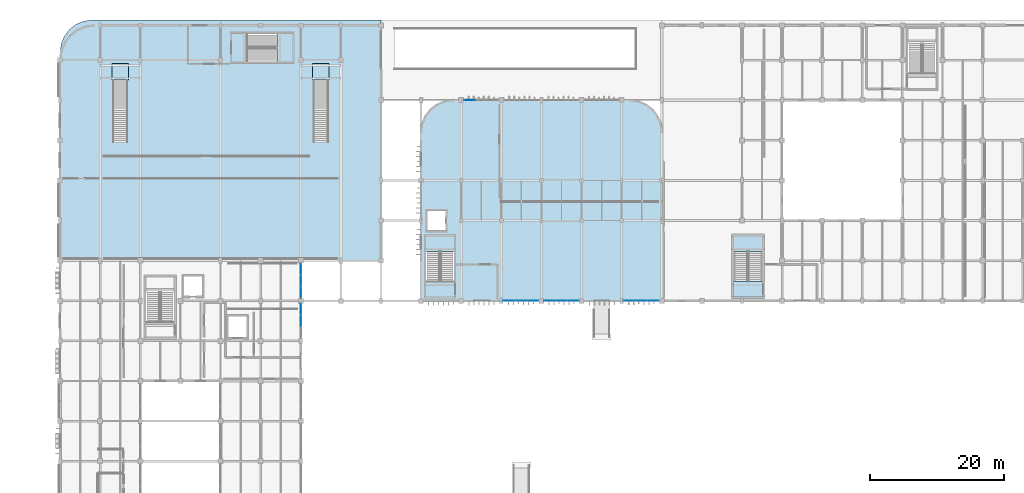
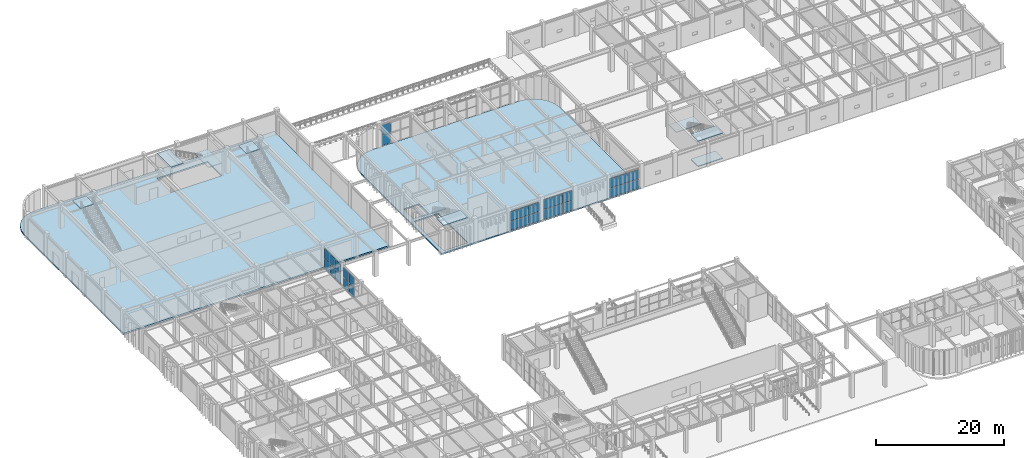
# One storey, part 37 of 76: 30 plates, 11 slabs, 11 elements without a shape of their own.
"""IFC4 building model written with IfcOpenShell, lengths in metres."""

from ifc_helpers import new_model, si_unit, direction, frame, origin, origin_2d, place, context, subcontext, project, spatial, polyline, rectangle, outline, extrude, material, layer, layer_set, type_object, element, aggregate, save


model = new_model("IFC4")

# Units and contexts
model_context = context("Model", 3, precision=1e-05, world=origin(), true_north=direction((0.0, 1.0)))
body_context = subcontext(model_context, "Body", "Model", "MODEL_VIEW")
ifc_project = project(units=[si_unit("LENGTHUNIT", "METRE"), si_unit("AREAUNIT", "SQUARE_METRE"), si_unit("VOLUMEUNIT", "CUBIC_METRE"), si_unit("PLANEANGLEUNIT", "RADIAN"), si_unit("MASSUNIT", "GRAM", prefix="KILO")], contexts=[model_context])

# Site, building, storey
site_placement = place(None, origin())
site = spatial("IfcSite", under=ifc_project, at=site_placement, CompositionType="ELEMENT")
building_placement = place(site_placement, origin())
building = spatial("IfcBuilding", under=site, at=building_placement, Name="Varnakota Square Police Headquarters", CompositionType="ELEMENT")
storey_placement = place(building_placement, origin())
storey = spatial("IfcBuildingStorey", under=building, at=storey_placement, Name="L00", CompositionType="ELEMENT", Elevation=0.0)

# Curtain wall, plate
ifc_material_1 = material(Name="Anodised Aluminium Framing", Category="aluminium")
curtain_wall_type_1 = type_object("IfcCurtainWallType", Name="CW-SYS-C", PredefinedType="NOTDEFINED", material=ifc_material_1)
curtain_wall_1_placement = place(storey_placement, origin())
curtain_wall_1 = element("IfcCurtainWall", 1, at=curtain_wall_1_placement, inside=storey, type_object=curtain_wall_type_1, Name="Unitised curtain wall CWG-L00-223", PredefinedType="NOTDEFINED")
ifc_material_2 = material(Name="Solar-Control Laminated Double Glazing", Category="glass")
ifc_layer_1 = layer(ifc_material_2, 0.028076171875, Name="Solar-Control Laminated Double Glazing")
ifc_layer_set_1 = layer_set([ifc_layer_1], Name="Solar-Control Laminated Double Glazing")
plate_type_1 = type_object("IfcPlateType", Name="CWP-GLZ-28", PredefinedType="CURTAIN_PANEL", material=ifc_layer_set_1)
plate_1_placement = place(storey_placement, frame((67.27197265625, 99.0, 0.074951171875), z_axis=(0.0, 0.0, 1.0), x_axis=(1.0, 0.0, 0.0)))
plate_1 = element("IfcPlate", 2, at=plate_1_placement, type_object=plate_type_1, Name="CWG-L00-223 panel 1.1", PredefinedType="CURTAIN_PANEL", context=body_context, shape_type="SweptSolid", body=[
    extrude(rectangle(XDim=1.63427734375, YDim=0.028076171875, at=origin_2d()), origin(), (0.0, 0.0, 1.0), 1.95751953125),
])

# Curtain wall, plates
curtain_wall_type_2 = type_object("IfcCurtainWallType", Name="CW-SYS-D", PredefinedType="NOTDEFINED", material=ifc_material_1)
curtain_wall_2_placement = place(storey_placement, origin())
curtain_wall_2 = element("IfcCurtainWall", 3, at=curtain_wall_2_placement, inside=storey, type_object=curtain_wall_type_2, Name="Unitised curtain wall CWG-L00-132", PredefinedType="NOTDEFINED")
ifc_material_3 = material(Name="Acoustic Laminated Double Glazing", Category="glass")
ifc_layer_2 = layer(ifc_material_3, 0.031982421875, Name="Acoustic Laminated Double Glazing")
ifc_layer_set_2 = layer_set([ifc_layer_2], Name="Acoustic Laminated Double Glazing")
plate_type_2 = type_object("IfcPlateType", Name="CWP-GLZ-32", PredefinedType="CURTAIN_PANEL", material=ifc_layer_set_2)
plate_2_placement = place(storey_placement, frame((42.0, 66.02490234375, 0.0751953125), z_axis=(0.0, 0.0, 1.0), x_axis=(0.0, 1.0, 0.0)))
plate_2 = element("IfcPlate", 4, at=plate_2_placement, type_object=plate_type_2, Name="CWG-L00-132 panel 2.1", PredefinedType="CURTAIN_PANEL", context=body_context, shape_type="SweptSolid", body=[
    extrude(rectangle(XDim=1.655029296875, YDim=0.031982421875, at=origin_2d()), origin(), (0.0, 0.0, 1.0), 1.907470703125),
])
plate_3_placement = place(storey_placement, frame((42.0, 67.736328125, 0.0751953125), z_axis=(0.0, 0.0, 1.0), x_axis=(0.0, 1.0, 0.0)))
plate_3 = element("IfcPlate", 5, at=plate_3_placement, type_object=plate_type_2, Name="CWG-L00-132 panel 3.1", PredefinedType="CURTAIN_PANEL", context=body_context, shape_type="SweptSolid", body=[
    extrude(rectangle(XDim=1.617431640625, YDim=0.031982421875, at=origin_2d()), origin(), (0.0, 0.0, 1.0), 1.907470703125),
])

curtain_wall_type_3 = type_object("IfcCurtainWallType", Name="CW-SYS-B", PredefinedType="NOTDEFINED", material=ifc_material_1)
curtain_wall_3_placement = place(storey_placement, origin())
curtain_wall_3 = element("IfcCurtainWall", 6, at=curtain_wall_3_placement, inside=storey, type_object=curtain_wall_type_3, Name="Unitised curtain wall CWG-L00-220", PredefinedType="NOTDEFINED")
plate_4_placement = place(storey_placement, frame((73.16552734375, 69.0, 0.06494140625), z_axis=(0.0, 0.0, 1.0), x_axis=(1.0, 0.0, 0.0)))
plate_4 = element("IfcPlate", 7, at=plate_4_placement, type_object=plate_type_2, Name="CWG-L00-220 panel 1.1", PredefinedType="CURTAIN_PANEL", context=body_context, shape_type="SweptSolid", body=[
    extrude(rectangle(XDim=1.69091796875, YDim=0.031982421875, at=origin_2d()), origin(), (0.0, 0.0, 1.0), 1.74755859375),
])
plate_5_placement = place(storey_placement, frame((74.9375, 69.0, 0.06494140625), z_axis=(0.0, 0.0, 1.0), x_axis=(1.0, 0.0, 0.0)))
plate_5 = element("IfcPlate", 8, at=plate_5_placement, type_object=plate_type_2, Name="CWG-L00-220 panel 2.1", PredefinedType="CURTAIN_PANEL", context=body_context, shape_type="SweptSolid", body=[
    extrude(rectangle(XDim=1.723388671875, YDim=0.031982421875, at=origin_2d()), origin(), (0.0, 0.0, 1.0), 1.74755859375),
])
plate_6_placement = place(storey_placement, frame((76.70947265625, 69.0, 0.06494140625), z_axis=(0.0, 0.0, 1.0), x_axis=(1.0, 0.0, 0.0)))
plate_6 = element("IfcPlate", 9, at=plate_6_placement, type_object=plate_type_2, Name="CWG-L00-220 panel 3.1", PredefinedType="CURTAIN_PANEL", context=body_context, shape_type="SweptSolid", body=[
    extrude(rectangle(XDim=1.69091796875, YDim=0.031982421875, at=origin_2d()), origin(), (0.0, 0.0, 1.0), 1.74755859375),
])

curtain_wall_4_placement = place(storey_placement, origin())
curtain_wall_4 = element("IfcCurtainWall", 10, at=curtain_wall_4_placement, inside=storey, type_object=curtain_wall_type_2, Name="Unitised curtain wall CWG-L00-133", PredefinedType="NOTDEFINED")
ifc_material_4 = material(Name="Blast-Resistant Laminated Glazing", Category="glass")
ifc_layer_3 = layer(ifc_material_4, 0.035888671875, Name="Blast-Resistant Laminated Glazing")
ifc_layer_set_3 = layer_set([ifc_layer_3], Name="Blast-Resistant Laminated Glazing")
plate_type_3 = type_object("IfcPlateType", Name="CWP-GLZ-36", PredefinedType="CURTAIN_PANEL", material=ifc_layer_set_3)
plate_7_placement = place(storey_placement, frame((42.0, 70.27197265625, 0.074951171875), z_axis=(0.0, 0.0, 1.0), x_axis=(0.0, 1.0, 0.0)))
plate_7 = element("IfcPlate", 11, at=plate_7_placement, type_object=plate_type_3, Name="CWG-L00-133 panel 1.1", PredefinedType="CURTAIN_PANEL", context=body_context, shape_type="SweptSolid", body=[
    extrude(rectangle(XDim=1.63427734375, YDim=0.035888671875, at=origin_2d()), origin(), (0.0, 0.0, 1.0), 1.9326171875),
])
plate_8_placement = place(storey_placement, frame((42.0, 72.0, 0.074951171875), z_axis=(0.0, 0.0, 1.0), x_axis=(0.0, 1.0, 0.0)))
plate_8 = element("IfcPlate", 12, at=plate_8_placement, type_object=plate_type_3, Name="CWG-L00-133 panel 2.1", PredefinedType="CURTAIN_PANEL", context=body_context, shape_type="SweptSolid", body=[
    extrude(rectangle(XDim=1.671630859375, YDim=0.035888671875, at=origin_2d()), origin(), (0.0, 0.0, 1.0), 1.9326171875),
])
plate_9_placement = place(storey_placement, frame((42.0, 73.72802734375, 0.074951171875), z_axis=(0.0, 0.0, 1.0), x_axis=(0.0, 1.0, 0.0)))
plate_9 = element("IfcPlate", 13, at=plate_9_placement, type_object=plate_type_3, Name="CWG-L00-133 panel 3.1", PredefinedType="CURTAIN_PANEL", context=body_context, shape_type="SweptSolid", body=[
    extrude(rectangle(XDim=1.63427734375, YDim=0.035888671875, at=origin_2d()), origin(), (0.0, 0.0, 1.0), 1.9326171875),
])

curtain_wall_5_placement = place(storey_placement, origin())
curtain_wall_5 = element("IfcCurtainWall", 14, at=curtain_wall_5_placement, inside=storey, type_object=curtain_wall_type_3, Name="Unitised curtain wall CWG-L00-221", PredefinedType="NOTDEFINED")
plate_10_placement = place(storey_placement, frame((79.26953125, 69.0, 0.06494140625), z_axis=(0.0, 0.0, 1.0), x_axis=(1.0, 0.0, 0.0)))
plate_10 = element("IfcPlate", 15, at=plate_10_placement, type_object=plate_type_3, Name="CWG-L00-221 panel 1.1", PredefinedType="CURTAIN_PANEL", context=body_context, shape_type="SweptSolid", body=[
    extrude(rectangle(XDim=1.649169921875, YDim=0.035888671875, at=origin_2d()), origin(), (0.0, 0.0, 1.0), 1.847412109375),
])
plate_11_placement = place(storey_placement, frame((81.0, 69.0, 0.06494140625), z_axis=(0.0, 0.0, 1.0), x_axis=(1.0, 0.0, 0.0)))
plate_11 = element("IfcPlate", 16, at=plate_11_placement, type_object=plate_type_3, Name="CWG-L00-221 panel 2.1", PredefinedType="CURTAIN_PANEL", context=body_context, shape_type="SweptSolid", body=[
    extrude(rectangle(XDim=1.681640625, YDim=0.035888671875, at=origin_2d()), origin(), (0.0, 0.0, 1.0), 1.847412109375),
])
plate_12_placement = place(storey_placement, frame((82.73046875, 69.0, 0.06494140625), z_axis=(0.0, 0.0, 1.0), x_axis=(1.0, 0.0, 0.0)))
plate_12 = element("IfcPlate", 17, at=plate_12_placement, type_object=plate_type_3, Name="CWG-L00-221 panel 3.1", PredefinedType="CURTAIN_PANEL", context=body_context, shape_type="SweptSolid", body=[
    extrude(rectangle(XDim=1.649169921875, YDim=0.035888671875, at=origin_2d()), origin(), (0.0, 0.0, 1.0), 1.847412109375),
])

curtain_wall_6_placement = place(storey_placement, origin())
curtain_wall_6 = element("IfcCurtainWall", 18, at=curtain_wall_6_placement, inside=storey, type_object=curtain_wall_type_3, Name="Unitised curtain wall CWG-L00-222", PredefinedType="NOTDEFINED")
ifc_material_5 = material(Name="Triple-Glazed Clean-Lab Vision Unit", Category="aluminium")
ifc_layer_4 = layer(ifc_material_5, 0.0419921875, Name="Triple-Glazed Clean-Lab Vision Unit")
ifc_layer_set_4 = layer_set([ifc_layer_4], Name="Triple-Glazed Clean-Lab Vision Unit")
plate_type_4 = type_object("IfcPlateType", Name="CWP-GLZ-42", PredefinedType="CURTAIN_PANEL", material=ifc_layer_set_4)
plate_13_placement = place(storey_placement, frame((91.16552734375, 69.0, 0.06494140625), z_axis=(0.0, 0.0, 1.0), x_axis=(1.0, 0.0, 0.0)))
plate_13 = element("IfcPlate", 19, at=plate_13_placement, type_object=plate_type_4, Name="CWG-L00-222 panel 1.1", PredefinedType="CURTAIN_PANEL", context=body_context, shape_type="SweptSolid", body=[
    extrude(rectangle(XDim=1.69091796875, YDim=0.0419921875, at=origin_2d()), origin(), (0.0, 0.0, 1.0), 1.74755859375),
])
plate_14_placement = place(storey_placement, frame((92.9375, 69.0, 0.06494140625), z_axis=(0.0, 0.0, 1.0), x_axis=(1.0, 0.0, 0.0)))
plate_14 = element("IfcPlate", 20, at=plate_14_placement, type_object=plate_type_4, Name="CWG-L00-222 panel 2.1", PredefinedType="CURTAIN_PANEL", context=body_context, shape_type="SweptSolid", body=[
    extrude(rectangle(XDim=1.723388671875, YDim=0.0419921875, at=origin_2d()), origin(), (0.0, 0.0, 1.0), 1.74755859375),
])
plate_15_placement = place(storey_placement, frame((94.70947265625, 69.0, 0.06494140625), z_axis=(0.0, 0.0, 1.0), x_axis=(1.0, 0.0, 0.0)))
plate_15 = element("IfcPlate", 21, at=plate_15_placement, type_object=plate_type_4, Name="CWG-L00-222 panel 3.1", PredefinedType="CURTAIN_PANEL", context=body_context, shape_type="SweptSolid", body=[
    extrude(rectangle(XDim=1.69091796875, YDim=0.0419921875, at=origin_2d()), origin(), (0.0, 0.0, 1.0), 1.74755859375),
])

# Plate
ifc_material_6 = material(Name="Insulated Anodised Aluminium Spandrel Panel", Category="aluminium")
ifc_layer_5 = layer(ifc_material_6, 0.050048828125, Name="Insulated Anodised Aluminium Spandrel Panel")
ifc_layer_set_5 = layer_set([ifc_layer_5], Name="Insulated Anodised Aluminium Spandrel Panel")
plate_type_5 = type_object("IfcPlateType", Name="CWP-SPN-50", PredefinedType="CURTAIN_PANEL", material=ifc_layer_set_5)
plate_16_placement = place(storey_placement, frame((42.0, 70.27197265625, 2.08251953125), z_axis=(0.0, 0.0, 1.0), x_axis=(0.0, 1.0, 0.0)))
plate_16 = element("IfcPlate", 22, at=plate_16_placement, type_object=plate_type_5, Name="CWG-L00-133 panel 1.2", PredefinedType="CURTAIN_PANEL", context=body_context, shape_type="SweptSolid", body=[
    extrude(rectangle(XDim=1.63427734375, YDim=0.050048828125, at=origin_2d()), origin(), (0.0, 0.0, 1.0), 1.9326171875),
])

plate_17_placement = place(storey_placement, frame((42.0, 72.0, 2.08251953125), z_axis=(0.0, 0.0, 1.0), x_axis=(0.0, 1.0, 0.0)))
plate_17 = element("IfcPlate", 23, at=plate_17_placement, type_object=plate_type_5, Name="CWG-L00-133 panel 2.2", PredefinedType="CURTAIN_PANEL", context=body_context, shape_type="SweptSolid", body=[
    extrude(rectangle(XDim=1.671630859375, YDim=0.050048828125, at=origin_2d()), origin(), (0.0, 0.0, 1.0), 1.9326171875),
])

plate_18_placement = place(storey_placement, frame((42.0, 73.72802734375, 2.08251953125), z_axis=(0.0, 0.0, 1.0), x_axis=(0.0, 1.0, 0.0)))
plate_18 = element("IfcPlate", 24, at=plate_18_placement, type_object=plate_type_5, Name="CWG-L00-133 panel 3.2", PredefinedType="CURTAIN_PANEL", context=body_context, shape_type="SweptSolid", body=[
    extrude(rectangle(XDim=1.63427734375, YDim=0.050048828125, at=origin_2d()), origin(), (0.0, 0.0, 1.0), 1.9326171875),
])

aggregate(curtain_wall_4, [plate_7, plate_16, plate_8, plate_17, plate_9, plate_18])

plate_19_placement = place(storey_placement, frame((79.26953125, 69.0, 1.9775390625), z_axis=(0.0, 0.0, 1.0), x_axis=(1.0, 0.0, 0.0)))
plate_19 = element("IfcPlate", 25, at=plate_19_placement, type_object=plate_type_5, Name="CWG-L00-221 panel 1.2", PredefinedType="CURTAIN_PANEL", context=body_context, shape_type="SweptSolid", body=[
    extrude(rectangle(XDim=1.649169921875, YDim=0.050048828125, at=origin_2d()), origin(), (0.0, 0.0, 1.0), 1.847412109375),
])

plate_20_placement = place(storey_placement, frame((81.0, 69.0, 1.9775390625), z_axis=(0.0, 0.0, 1.0), x_axis=(1.0, 0.0, 0.0)))
plate_20 = element("IfcPlate", 26, at=plate_20_placement, type_object=plate_type_5, Name="CWG-L00-221 panel 2.2", PredefinedType="CURTAIN_PANEL", context=body_context, shape_type="SweptSolid", body=[
    extrude(rectangle(XDim=1.681640625, YDim=0.050048828125, at=origin_2d()), origin(), (0.0, 0.0, 1.0), 1.847412109375),
])

plate_21_placement = place(storey_placement, frame((82.73046875, 69.0, 1.9775390625), z_axis=(0.0, 0.0, 1.0), x_axis=(1.0, 0.0, 0.0)))
plate_21 = element("IfcPlate", 27, at=plate_21_placement, type_object=plate_type_5, Name="CWG-L00-221 panel 3.2", PredefinedType="CURTAIN_PANEL", context=body_context, shape_type="SweptSolid", body=[
    extrude(rectangle(XDim=1.649169921875, YDim=0.050048828125, at=origin_2d()), origin(), (0.0, 0.0, 1.0), 1.847412109375),
])

aggregate(curtain_wall_5, [plate_10, plate_19, plate_11, plate_20, plate_12, plate_21])

plate_22_placement = place(storey_placement, frame((67.27197265625, 99.0, 2.107421875), z_axis=(0.0, 0.0, 1.0), x_axis=(1.0, 0.0, 0.0)))
plate_22 = element("IfcPlate", 28, at=plate_22_placement, type_object=plate_type_5, Name="CWG-L00-223 panel 1.2", PredefinedType="CURTAIN_PANEL", context=body_context, shape_type="SweptSolid", body=[
    extrude(rectangle(XDim=1.63427734375, YDim=0.050048828125, at=origin_2d()), origin(), (0.0, 0.0, 1.0), 1.95751953125),
])

aggregate(curtain_wall_1, [plate_1, plate_22])

ifc_material_7 = material(Name="Fire-Stopped Mineral-Wool Spandrel Panel", Category="aluminium")
ifc_layer_6 = layer(ifc_material_7, 0.06005859375, Name="Fire-Stopped Mineral-Wool Spandrel Panel")
ifc_layer_set_6 = layer_set([ifc_layer_6], Name="Fire-Stopped Mineral-Wool Spandrel Panel")
plate_type_6 = type_object("IfcPlateType", Name="CWP-SPN-60", PredefinedType="CURTAIN_PANEL", material=ifc_layer_set_6)
plate_23_placement = place(storey_placement, frame((42.0, 66.02490234375, 2.0576171875), z_axis=(0.0, 0.0, 1.0), x_axis=(0.0, 1.0, 0.0)))
plate_23 = element("IfcPlate", 29, at=plate_23_placement, type_object=plate_type_6, Name="CWG-L00-132 panel 2.2", PredefinedType="CURTAIN_PANEL", context=body_context, shape_type="SweptSolid", body=[
    extrude(rectangle(XDim=1.655029296875, YDim=0.06005859375, at=origin_2d()), origin(), (0.0, 0.0, 1.0), 1.907470703125),
])

plate_24_placement = place(storey_placement, frame((42.0, 67.736328125, 2.0576171875), z_axis=(0.0, 0.0, 1.0), x_axis=(0.0, 1.0, 0.0)))
plate_24 = element("IfcPlate", 30, at=plate_24_placement, type_object=plate_type_6, Name="CWG-L00-132 panel 3.2", PredefinedType="CURTAIN_PANEL", context=body_context, shape_type="SweptSolid", body=[
    extrude(rectangle(XDim=1.617431640625, YDim=0.06005859375, at=origin_2d()), origin(), (0.0, 0.0, 1.0), 1.907470703125),
])

aggregate(curtain_wall_2, [plate_2, plate_23, plate_3, plate_24])

plate_25_placement = place(storey_placement, frame((73.16552734375, 69.0, 1.87744140625), z_axis=(0.0, 0.0, 1.0), x_axis=(1.0, 0.0, 0.0)))
plate_25 = element("IfcPlate", 31, at=plate_25_placement, type_object=plate_type_6, Name="CWG-L00-220 panel 1.2", PredefinedType="CURTAIN_PANEL", context=body_context, shape_type="SweptSolid", body=[
    extrude(rectangle(XDim=1.69091796875, YDim=0.06005859375, at=origin_2d()), origin(), (0.0, 0.0, 1.0), 1.74755859375),
])

plate_26_placement = place(storey_placement, frame((74.9375, 69.0, 1.87744140625), z_axis=(0.0, 0.0, 1.0), x_axis=(1.0, 0.0, 0.0)))
plate_26 = element("IfcPlate", 32, at=plate_26_placement, type_object=plate_type_6, Name="CWG-L00-220 panel 2.2", PredefinedType="CURTAIN_PANEL", context=body_context, shape_type="SweptSolid", body=[
    extrude(rectangle(XDim=1.723388671875, YDim=0.06005859375, at=origin_2d()), origin(), (0.0, 0.0, 1.0), 1.74755859375),
])

plate_27_placement = place(storey_placement, frame((76.70947265625, 69.0, 1.87744140625), z_axis=(0.0, 0.0, 1.0), x_axis=(1.0, 0.0, 0.0)))
plate_27 = element("IfcPlate", 33, at=plate_27_placement, type_object=plate_type_6, Name="CWG-L00-220 panel 3.2", PredefinedType="CURTAIN_PANEL", context=body_context, shape_type="SweptSolid", body=[
    extrude(rectangle(XDim=1.69091796875, YDim=0.06005859375, at=origin_2d()), origin(), (0.0, 0.0, 1.0), 1.74755859375),
])

aggregate(curtain_wall_3, [plate_4, plate_25, plate_5, plate_26, plate_6, plate_27])

plate_28_placement = place(storey_placement, frame((91.16552734375, 69.0, 1.87744140625), z_axis=(0.0, 0.0, 1.0), x_axis=(1.0, 0.0, 0.0)))
plate_28 = element("IfcPlate", 34, at=plate_28_placement, type_object=plate_type_6, Name="CWG-L00-222 panel 1.2", PredefinedType="CURTAIN_PANEL", context=body_context, shape_type="SweptSolid", body=[
    extrude(rectangle(XDim=1.69091796875, YDim=0.06005859375, at=origin_2d()), origin(), (0.0, 0.0, 1.0), 1.74755859375),
])

plate_29_placement = place(storey_placement, frame((92.9375, 69.0, 1.87744140625), z_axis=(0.0, 0.0, 1.0), x_axis=(1.0, 0.0, 0.0)))
plate_29 = element("IfcPlate", 35, at=plate_29_placement, type_object=plate_type_6, Name="CWG-L00-222 panel 2.2", PredefinedType="CURTAIN_PANEL", context=body_context, shape_type="SweptSolid", body=[
    extrude(rectangle(XDim=1.723388671875, YDim=0.06005859375, at=origin_2d()), origin(), (0.0, 0.0, 1.0), 1.74755859375),
])

plate_30_placement = place(storey_placement, frame((94.70947265625, 69.0, 1.87744140625), z_axis=(0.0, 0.0, 1.0), x_axis=(1.0, 0.0, 0.0)))
plate_30 = element("IfcPlate", 36, at=plate_30_placement, type_object=plate_type_6, Name="CWG-L00-222 panel 3.2", PredefinedType="CURTAIN_PANEL", context=body_context, shape_type="SweptSolid", body=[
    extrude(rectangle(XDim=1.69091796875, YDim=0.06005859375, at=origin_2d()), origin(), (0.0, 0.0, 1.0), 1.74755859375),
])

aggregate(curtain_wall_6, [plate_13, plate_28, plate_14, plate_29, plate_15, plate_30])

# Slabs
ifc_material_8 = material(Name="Concrete M40", Category="concrete")
ifc_layer_7 = layer(ifc_material_8, 0.25, Name="Concrete M40")
ifc_layer_set_7 = layer_set([ifc_layer_7], Name="Concrete M40")
slab_type_1 = type_object("IfcSlabType", Name="SL-POD-250", PredefinedType="FLOOR", material=ifc_layer_set_7)
slab_1_placement = place(storey_placement, frame((0.0, 0.0, -0.25)))
element("IfcSlab", 37, at=slab_1_placement, inside=storey, type_object=slab_type_1, Name="L00 Command Pavilion Ground Slab", PredefinedType="FLOOR", context=body_context, shape_type="SweptSolid", body=[
    extrude(outline(polyline([(60.0, 69.0), (96.0, 69.0), (96.0, 94.199951171875), (95.83642578125, 95.4423828125), (95.35693359375, 96.60009765625), (94.593994140625, 97.593994140625), (93.60009765625, 98.35693359375), (92.4423828125, 98.83642578125), (91.199951171875, 99.0), (64.800048828125, 99.0), (63.5576171875, 98.83642578125), (62.39990234375, 98.35693359375), (61.406005859375, 97.593994140625), (60.64306640625, 96.60009765625), (60.16357421875, 95.4423828125), (60.0, 94.199951171875), (60.0, 69.0)]), holes=[polyline([(60.655029296875, 69.554931640625), (65.044921875, 69.554931640625), (65.044921875, 78.7451171875), (60.655029296875, 78.7451171875), (60.655029296875, 69.554931640625)]), polyline([(60.9150390625, 79.514892578125), (63.68505859375, 79.514892578125), (63.68505859375, 82.485107421875), (60.9150390625, 82.485107421875), (60.9150390625, 79.514892578125)])]), origin(), (0.0, 0.0, 1.0), 0.25),
])
ifc_layer_8 = layer(ifc_material_8, 0.280029296875, Name="Concrete M40")
ifc_layer_set_8 = layer_set([ifc_layer_8], Name="Concrete M40")
slab_type_2 = type_object("IfcSlabType", Name="SL-POD-280", PredefinedType="FLOOR", material=ifc_layer_set_8)
slab_2_placement = place(storey_placement, frame((0.0, 0.0, -0.280029296875)))
element("IfcSlab", 38, at=slab_2_placement, inside=storey, type_object=slab_type_2, Name="L00 Firing Range and Auditorium Slab", PredefinedType="FLOOR", context=body_context, shape_type="SweptSolid", body=[
    extrude(outline(polyline([(6.0, 75.0), (54.0, 75.0), (54.0, 111.0), (10.800048828125, 111.0), (9.5576171875, 110.83642578125), (8.39990234375, 110.35693359375), (7.406005859375, 109.593994140625), (6.64306640625, 108.60009765625), (6.16357421875, 107.4423828125), (6.0, 106.199951171875), (6.0, 75.0)]), holes=[polyline([(31.655029296875, 104.655029296875), (40.844970703125, 104.655029296875), (40.844970703125, 109.044921875), (31.655029296875, 109.044921875), (31.655029296875, 104.655029296875)])]), origin(), (0.0, 0.0, 1.0), 0.280029296875),
])

# Stair, slab
ifc_material_9 = material(Name="Precast concrete M40", Category="concrete")
stair_type_1 = type_object("IfcStairType", Name="STR-FEAT-2200", PredefinedType="STRAIGHT_RUN_STAIR", material=ifc_material_9)
stair_1_placement = place(storey_placement, origin())
stair_1 = element("IfcStair", 39, at=stair_1_placement, inside=storey, type_object=stair_type_1, Name="Civic feature straight-run stair ST-AUD1", PredefinedType="STRAIGHT_RUN_STAIR")
ifc_layer_9 = layer(ifc_material_9, 0.1640625, Name="Precast concrete M40")
ifc_layer_set_9 = layer_set([ifc_layer_9], Name="Precast concrete M40")
slab_type_3 = type_object("IfcSlabType", Name="SLB-FLND-2200", PredefinedType="LANDING", material=ifc_layer_set_9)
slab_3_placement = place(storey_placement, frame((0.0, 0.0, 4.635986328125)))
slab_3 = element("IfcSlab", 40, at=slab_3_placement, type_object=slab_type_3, Name="ST-AUD1 landing 1", PredefinedType="LANDING", context=body_context, shape_type="SweptSolid", body=[
    extrude(outline(polyline([(13.75, 102.0), (16.25, 102.0), (16.25, 104.5), (13.75, 104.5), (13.75, 102.0)])), origin(), (0.0, 0.0, 1.0), 0.1640625),
])
aggregate(stair_1, [slab_3])

stair_2_placement = place(storey_placement, origin())
stair_2 = element("IfcStair", 41, at=stair_2_placement, inside=storey, type_object=stair_type_1, Name="Civic feature straight-run stair ST-AUD2", PredefinedType="STRAIGHT_RUN_STAIR")
slab_4_placement = place(storey_placement, frame((0.0, 0.0, 4.635986328125)))
slab_4 = element("IfcSlab", 42, at=slab_4_placement, type_object=slab_type_3, Name="ST-AUD2 landing 1", PredefinedType="LANDING", context=body_context, shape_type="SweptSolid", body=[
    extrude(outline(polyline([(43.75, 102.0), (46.25, 102.0), (46.25, 104.5), (43.75, 104.5), (43.75, 102.0)])), origin(), (0.0, 0.0, 1.0), 0.1640625),
])
aggregate(stair_2, [slab_4])

# Stair, slabs
stair_type_2 = type_object("IfcStairType", Name="STR-DOG-1850", PredefinedType="USERDEFINED", material=ifc_material_8)
stair_3_placement = place(storey_placement, origin())
stair_3 = element("IfcStair", 43, at=stair_3_placement, inside=storey, type_object=stair_type_2, Name="Protected exit stair ST6 (L00)", ObjectType="TWO_RETURN_STAIR", PredefinedType="USERDEFINED")
ifc_layer_10 = layer(ifc_material_8, 0.157958984375, Name="Concrete M40")
ifc_layer_set_10 = layer_set([ifc_layer_10], Name="Concrete M40")
slab_type_4 = type_object("IfcSlabType", Name="SLB-LND-1850", PredefinedType="LANDING", material=ifc_layer_set_10)
slab_5_placement = place(storey_placement, frame((0.0, 0.0, 2.241943359375)))
slab_5 = element("IfcSlab", 44, at=slab_5_placement, type_object=slab_type_4, Name="ST6-L00 landing 1", PredefinedType="LANDING", context=body_context, shape_type="SweptSolid", body=[
    extrude(outline(polyline([(60.659912109375, 76.350830078125), (65.0400390625, 76.350830078125), (65.0400390625, 78.739990234375), (60.659912109375, 78.739990234375), (60.659912109375, 76.350830078125)])), origin(), (0.0, 0.0, 1.0), 0.157958984375),
])
slab_6_placement = place(storey_placement, frame((0.0, 0.0, 4.64208984375)))
slab_6 = element("IfcSlab", 45, at=slab_6_placement, type_object=slab_type_4, Name="ST6-L00 landing 2", PredefinedType="LANDING", context=body_context, shape_type="SweptSolid", body=[
    extrude(outline(polyline([(60.659912109375, 69.56005859375), (65.0400390625, 69.56005859375), (65.0400390625, 71.85009765625), (60.659912109375, 71.85009765625), (60.659912109375, 69.56005859375)])), origin(), (0.0, 0.0, 1.0), 0.157958984375),
])
aggregate(stair_3, [slab_5, slab_6])

stair_4_placement = place(storey_placement, origin())
stair_4 = element("IfcStair", 46, at=stair_4_placement, inside=storey, type_object=stair_type_2, Name="Protected exit stair ST7 (L00)", ObjectType="TWO_RETURN_STAIR", PredefinedType="USERDEFINED")
slab_7_placement = place(storey_placement, frame((0.0, 0.0, 2.241943359375)))
slab_7 = element("IfcSlab", 47, at=slab_7_placement, type_object=slab_type_4, Name="ST7-L00 landing 1", PredefinedType="LANDING", context=body_context, shape_type="SweptSolid", body=[
    extrude(outline(polyline([(38.45068359375, 104.659912109375), (40.840087890625, 104.659912109375), (40.840087890625, 109.0400390625), (38.45068359375, 109.0400390625), (38.45068359375, 104.659912109375)])), origin(), (0.0, 0.0, 1.0), 0.157958984375),
])
slab_8_placement = place(storey_placement, frame((0.0, 0.0, 4.64208984375)))
slab_8 = element("IfcSlab", 48, at=slab_8_placement, type_object=slab_type_4, Name="ST7-L00 landing 2", PredefinedType="LANDING", context=body_context, shape_type="SweptSolid", body=[
    extrude(outline(polyline([(31.659912109375, 104.659912109375), (33.949951171875, 104.659912109375), (33.949951171875, 109.0400390625), (31.659912109375, 109.0400390625), (31.659912109375, 104.659912109375)])), origin(), (0.0, 0.0, 1.0), 0.157958984375),
])
aggregate(stair_4, [slab_7, slab_8])

stair_type_3 = type_object("IfcStairType", Name="STR-DOG-1900", PredefinedType="USERDEFINED", material=ifc_material_8)
stair_5_placement = place(storey_placement, origin())
stair_5 = element("IfcStair", 49, at=stair_5_placement, inside=storey, type_object=stair_type_3, Name="Protected exit stair ST9 (L00)", ObjectType="TWO_RETURN_STAIR", PredefinedType="USERDEFINED")
ifc_layer_11 = layer(ifc_material_8, 0.162109375, Name="Concrete M40")
ifc_layer_set_11 = layer_set([ifc_layer_11], Name="Concrete M40")
slab_type_5 = type_object("IfcSlabType", Name="SLB-LND-1900", PredefinedType="LANDING", material=ifc_layer_set_11)
slab_9_placement = place(storey_placement, frame((0.0, 0.0, 2.238037109375)))
slab_9 = element("IfcSlab", 50, at=slab_9_placement, type_object=slab_type_5, Name="ST9-L00 landing 1", PredefinedType="LANDING", context=body_context, shape_type="SweptSolid", body=[
    extrude(outline(polyline([(106.659912109375, 76.350830078125), (111.139892578125, 76.350830078125), (111.139892578125, 78.739990234375), (106.659912109375, 78.739990234375), (106.659912109375, 76.350830078125)])), origin(), (0.0, 0.0, 1.0), 0.161865234375),
])
slab_10_placement = place(storey_placement, frame((0.0, 0.0, 4.637939453125)))
slab_10 = element("IfcSlab", 51, at=slab_10_placement, type_object=slab_type_5, Name="ST9-L00 landing 2", PredefinedType="LANDING", context=body_context, shape_type="SweptSolid", body=[
    extrude(outline(polyline([(106.659912109375, 69.56005859375), (111.139892578125, 69.56005859375), (111.139892578125, 71.85009765625), (106.659912109375, 71.85009765625), (106.659912109375, 69.56005859375)])), origin(), (0.0, 0.0, 1.0), 0.162109375),
])
slab_11_placement = place(storey_placement, frame((0.0, 0.0, -0.162109375)))
slab_11 = element("IfcSlab", 52, at=slab_11_placement, type_object=slab_type_5, Name="ST9-L00 landing 3", PredefinedType="LANDING", context=body_context, shape_type="SweptSolid", body=[
    extrude(outline(polyline([(106.659912109375, 69.56005859375), (111.139892578125, 69.56005859375), (111.139892578125, 71.85009765625), (106.659912109375, 71.85009765625), (106.659912109375, 69.56005859375)])), origin(), (0.0, 0.0, 1.0), 0.162109375),
])
aggregate(stair_5, [slab_9, slab_10, slab_11])

save(model, "model.ifc")
